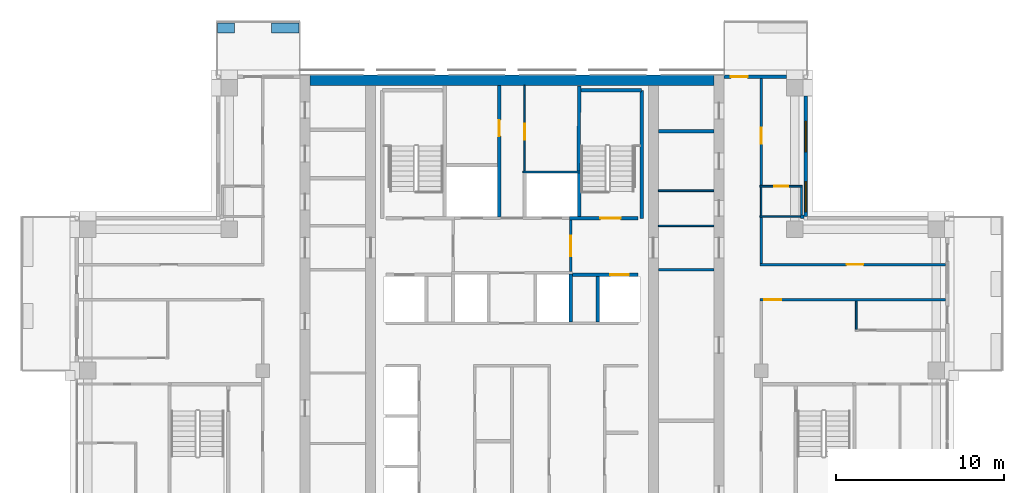
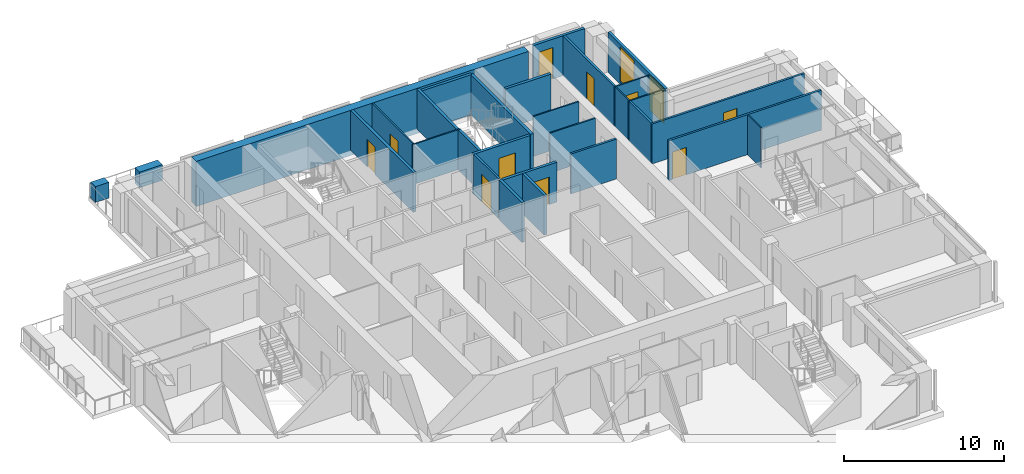
# One storey, part 11 of 15: 31 walls, 10 doors, 2 windows, 12 openings.
"""IFC4 building model written with IfcOpenShell, lengths in metres."""

import ifcopenshell
import ifcopenshell.guid

model = None  # the IFC model being written
_history = None  # IfcOwnerHistory: only IFC2X3 demands one
_inside = {}  # id of a spatial element -> (the spatial element, [elements in it])
_under = {}  # id of a project, library or spatial element -> (it, [spatial elements below it])
_declared = {}  # id of a project -> (the project, [libraries it declares])
_typed = {}  # id of a type object -> (the type object, [elements of that type])
_made_of = {}  # id of a material, layer set ... -> (it, [elements and type objects made of it])


def new_model(schema):
    """Start an empty IFC model of exactly this schema.

    Asked for "IFC4X3", IfcOpenShell would pick the latest addendum, in which some entities
    have other attributes; the version numbers below select the first issue.
    IFC2X3 requires an IfcOwnerHistory on every rooted entity: one is made here for all.
    """
    global model, _history
    if schema == "IFC4X3":
        model = ifcopenshell.file(schema_version=(4, 3, 0, 0))
    else:
        model = ifcopenshell.file(schema=schema)
    _inside.clear()
    _under.clear()
    _declared.clear()
    _typed.clear()
    _made_of.clear()
    _history = None
    if model.schema == "IFC2X3":
        org = make("IfcOrganization", Name="unknown")
        user = make(
            "IfcPersonAndOrganization",
            ThePerson=make("IfcPerson", FamilyName="unknown"),
            TheOrganization=org,
        )
        app = make(
            "IfcApplication",
            ApplicationDeveloper=org,
            Version="unknown",
            ApplicationFullName="unknown",
            ApplicationIdentifier="unknown",
        )
        _history = make(
            "IfcOwnerHistory",
            OwningUser=user,
            OwningApplication=app,
            ChangeAction="ADDED",
            CreationDate=0,
        )
    return model


def make(cls, **values):
    """One entity of the class cls with the attributes given. An attribute that is None is left unset."""
    return model.create_entity(
        cls, **{name: value for name, value in values.items() if value is not None}
    )


def rooted(cls, **values):
    """An entity with a GlobalId (a new one), such as an element, a storey or a relation."""
    return make(cls, GlobalId=ifcopenshell.guid.new(), OwnerHistory=_history, **values)


def si_unit(unit_type, name, prefix=None):
    """IfcSIUnit, for example si_unit("LENGTHUNIT", "METRE", prefix="MILLI")."""
    return make("IfcSIUnit", UnitType=unit_type, Prefix=prefix, Name=name)


def assignment(units):
    """IfcUnitAssignment: the units of a project."""
    return None if units is None else make("IfcUnitAssignment", Units=units)


def point(xyz):
    """IfcCartesianPoint."""
    return None if xyz is None else make("IfcCartesianPoint", Coordinates=xyz)


def direction(xyz):
    """IfcDirection."""
    return None if xyz is None else make("IfcDirection", DirectionRatios=xyz)


def frame(location, z_axis=None, x_axis=None):
    """IfcAxis2Placement3D, a coordinate frame: its origin and axes. An axis left out is left unset."""
    return make(
        "IfcAxis2Placement3D",
        Location=point(location),
        Axis=direction(z_axis),
        RefDirection=direction(x_axis),
    )


def frame_2d(location, x_axis=None):
    """IfcAxis2Placement2D, a coordinate frame in the plane: its origin and x axis."""
    return make(
        "IfcAxis2Placement2D", Location=point(location), RefDirection=direction(x_axis)
    )


def origin():
    """The frame at (0, 0, 0) with its axes left unset."""
    return frame((0.0, 0.0, 0.0))


def place(relative_to, where):
    """IfcLocalPlacement: puts the frame where relative to a parent placement (None: the world)."""
    return make(
        "IfcLocalPlacement", PlacementRelTo=relative_to, RelativePlacement=where
    )


def context(
    kind, dimensions, precision=None, world=None, true_north=None, identifier=None
):
    """IfcGeometricRepresentationContext, for example the 3D "Model" context."""
    return make(
        "IfcGeometricRepresentationContext",
        ContextIdentifier=identifier,
        ContextType=kind,
        CoordinateSpaceDimension=dimensions,
        Precision=precision,
        WorldCoordinateSystem=world,
        TrueNorth=true_north,
    )


def subcontext(parent, identifier, kind, view, scale=None):
    """IfcGeometricRepresentationSubContext, for example "Body" below "Model"."""
    return make(
        "IfcGeometricRepresentationSubContext",
        ContextIdentifier=identifier,
        ContextType=kind,
        ParentContext=parent,
        TargetScale=scale,
        TargetView=view,
    )


def project(units=None, contexts=None):
    """IfcProject with its units and contexts."""
    return rooted(
        "IfcProject",
        Name="project",
        RepresentationContexts=contexts,
        UnitsInContext=assignment(units),
    )


def spatial(cls, under=None, at=None, **own):
    """A site, building, storey or space (cls), placed at a placement, below another one or the project."""
    s = rooted(cls, ObjectPlacement=at, **own)
    if under is not None:
        _under.setdefault(under.id(), (under, []))[1].append(s)
    return s


def profile(cls, at=None, kind="AREA", **sizes):
    """A parametric profile (cls). Its sizes go by their IFC names, for example OverallWidth=200.0."""
    return make(cls, ProfileType=kind, Position=at, **sizes)


def rectangle(**sizes):
    """IfcRectangleProfileDef."""
    return profile("IfcRectangleProfileDef", **sizes)


def extrude(swept, where, along, depth):
    """IfcExtrudedAreaSolid: the profile swept, set in the frame where, extruded along a direction by depth."""
    return make(
        "IfcExtrudedAreaSolid",
        SweptArea=swept,
        Position=where,
        ExtrudedDirection=direction(along),
        Depth=depth,
    )


def shape(context_of_items, identifier, shape_type, items):
    """IfcShapeRepresentation: the items that make up one representation, for example the "Body"."""
    return make(
        "IfcShapeRepresentation",
        ContextOfItems=context_of_items,
        RepresentationIdentifier=identifier,
        RepresentationType=shape_type,
        Items=items,
    )


def material(Name=None, Category=None):
    """IfcMaterial."""
    return make("IfcMaterial", Name=Name, Category=Category)


def layer(
    of_material, thickness, ventilated=None, Name=None, Category=None, Priority=None
):
    """IfcMaterialLayer: one layer of a wall or slab, of a material (None: an air gap)."""
    return make(
        "IfcMaterialLayer",
        Material=of_material,
        LayerThickness=thickness,
        IsVentilated=ventilated,
        Name=Name,
        Category=Category,
        Priority=Priority,
    )


def layer_set(layers, Name=None):
    """IfcMaterialLayerSet."""
    return make("IfcMaterialLayerSet", MaterialLayers=layers, LayerSetName=Name)


def made_of(thing, what):
    """Note that an element or type object is made of a material, layer set ...; save() writes the relation."""
    if what is not None:
        _made_of.setdefault(what.id(), (what, []))[1].append(thing)
    return thing


def type_object(cls, material=None, **own):
    """A type object (cls), such as IfcWallType, which elements share."""
    return made_of(rooted(cls, **own), material)


def element(
    cls,
    number,
    at=None,
    inside=None,
    cuts=None,
    type_object=None,
    material=None,
    context=None,
    identifier="Body",
    shape_type=None,
    held_by="IfcProductDefinitionShape",
    body=None,
    shapes=None,
    **own,
):
    """One element of the class cls, such as IfcWall. Its Tag is "e" and its number.

    at: its placement. inside: the storey or other place that contains it. cuts: it is an
    opening in that element (IfcRelVoidsElement). A single representation is given by context,
    identifier, shape_type and body (its items); several are given by shapes. held_by: the class
    of the entity that holds the representations. save() writes the other relations.
    """
    e = rooted(cls, Tag="e%d" % number, ObjectPlacement=at, **own)
    if body is not None:
        shapes = [shape(context, identifier, shape_type, body)]
    if shapes is not None:
        e.Representation = make(held_by, Representations=shapes)
    if inside is not None:
        _inside.setdefault(inside.id(), (inside, []))[1].append(e)
    if cuts is not None:
        rooted(
            "IfcRelVoidsElement", RelatingBuildingElement=cuts, RelatedOpeningElement=e
        )
    if type_object is not None:
        _typed.setdefault(type_object.id(), (type_object, []))[1].append(e)
    return made_of(e, material)


def fill(opening, filler):
    """IfcRelFillsElement: the door or window that sits in an opening."""
    return rooted(
        "IfcRelFillsElement",
        RelatingOpeningElement=opening,
        RelatedBuildingElement=filler,
    )


def aggregate(whole, parts):
    """IfcRelAggregates: a whole, such as a stair, and the parts it consists of."""
    return rooted("IfcRelAggregates", RelatingObject=whole, RelatedObjects=parts)


def save(model, path):
    """Write the relations noted so far, then the file.

    IfcRelAggregates (storeys below a building ...), IfcRelContainedInSpatialStructure (elements
    in a storey), IfcRelDefinesByType, IfcRelAssociatesMaterial and IfcRelDeclares: one each for
    every whole, place, type object, material and project.
    """
    for whole, parts in _under.values():
        aggregate(whole, parts)
    for where, things in _inside.values():
        rooted(
            "IfcRelContainedInSpatialStructure",
            RelatedElements=things,
            RelatingStructure=where,
        )
    for kind, things in _typed.values():
        rooted("IfcRelDefinesByType", RelatedObjects=things, RelatingType=kind)
    for what, things in _made_of.values():
        rooted("IfcRelAssociatesMaterial", RelatedObjects=things, RelatingMaterial=what)
    for by, libraries in _declared.values():
        rooted("IfcRelDeclares", RelatingContext=by, RelatedDefinitions=libraries)
    model.write(path)


model = new_model("IFC4")

# Units and contexts
model_context = context("Model", 3, precision=1e-05, world=origin(), true_north=direction((0.0, 1.0)))
body_context = subcontext(model_context, "Body", "Model", "MODEL_VIEW")
ifc_project = project(units=[si_unit("LENGTHUNIT", "METRE"), si_unit("AREAUNIT", "SQUARE_METRE"), si_unit("VOLUMEUNIT", "CUBIC_METRE"), si_unit("PLANEANGLEUNIT", "RADIAN"), si_unit("MASSUNIT", "GRAM", prefix="KILO")], contexts=[model_context])

# Site, building, storey
site_placement = place(None, origin())
site = spatial("IfcSite", under=ifc_project, at=site_placement, CompositionType="ELEMENT")
building_placement = place(site_placement, origin())
building = spatial("IfcBuilding", under=site, at=building_placement, Name="Vermilion Ogive Tower", CompositionType="ELEMENT")
storey_placement = place(building_placement, frame((0.0, 0.0, 210.050048828125)))
storey = spatial("IfcBuildingStorey", under=building, at=storey_placement, Name="L55", CompositionType="ELEMENT", Elevation=210.050048828125)

# Walls
ifc_material_1 = material(Name="Concrete B60", Category="concrete")
ifc_layer_1 = layer(ifc_material_1, 0.60009765625)
ifc_layer_set_1 = layer_set([ifc_layer_1], Name="Core wall 600 B60")
wall_type_1 = type_object("IfcWallType", Name="Core wall 600 B60", PredefinedType="SHEAR", material=ifc_layer_set_1)
wall_1_placement = place(storey_placement, frame((-12.0, 21.449951171875, -0.400146484375), z_axis=(0.0, 0.0, 1.0), x_axis=(1.0, 0.0, 0.0)))
element("IfcWall", 1, at=wall_1_placement, inside=storey, type_object=wall_type_1, Name="L55-CORE-N", PredefinedType="SHEAR", context=body_context, shape_type="SweptSolid", body=[
    extrude(rectangle(XDim=24.0, YDim=0.60009765625, at=frame_2d((12.0, 0.0))), origin(), (0.0, 0.0, 1.0), 3.4501953125),
])
ifc_material_2 = material(Name="Gypsum board partition on steel studs", Category="steel")
ifc_layer_2 = layer(ifc_material_2, 0.10009765625)
ifc_layer_set_2 = layer_set([ifc_layer_2], Name="Partition 100 bath")
wall_type_2 = type_object("IfcWallType", Name="Partition 100 bath", PredefinedType="PARTITIONING", material=ifc_layer_set_2)
wall_2_placement = place(storey_placement, frame((14.72509765625, 13.35009765625, 0.0), z_axis=(0.0, 0.0, 1.0), x_axis=(1.0, 0.0, 0.0)))
element("IfcWall", 2, at=wall_2_placement, inside=storey, type_object=wall_type_2, Name="L55-W-W035", PredefinedType="PARTITIONING", context=body_context, shape_type="SweptSolid", body=[
    extrude(rectangle(XDim=2.52490234375, YDim=0.10009765625, at=frame_2d((1.262451171875, 0.0))), origin(), (0.0, 0.0, 1.0), 3.050048828125),
])

# Wall, opening, door
wall_3_placement = place(storey_placement, frame((14.72509765625, 15.14990234375, 0.0), z_axis=(0.0, 0.0, 1.0), x_axis=(1.0, 0.0, 0.0)))
wall_3 = element("IfcWall", 3, at=wall_3_placement, inside=storey, type_object=wall_type_2, Name="L55-W-W038", PredefinedType="PARTITIONING", context=body_context, shape_type="SweptSolid", body=[
    extrude(rectangle(XDim=2.52490234375, YDim=0.10009765625, at=frame_2d((1.262451171875, 0.0))), origin(), (0.0, 0.0, 1.0), 3.050048828125),
])
opening_1_placement = place(wall_3_placement, frame((0.849853515625, 0.0, 0.0)))
opening_1 = element("IfcOpeningElement", 4, at=opening_1_placement, cuts=wall_3, Name="Opening D4G5021", PredefinedType="OPENING", context=body_context, shape_type="SweptSolid", body=[
    extrude(rectangle(XDim=0.85009765625, YDim=2.10009765625, at=frame_2d((0.425048828125, 1.050048828125))), frame((0.0, 0.06005859375, 0.0), z_axis=(0.0, -1.0, 0.0), x_axis=(1.0, 0.0, 0.0)), (0.0, 0.0, 1.0), 0.1201171875),
])
ifc_material_3 = material(Name="Timber door leaf", Category="wood")
door_type_1 = type_object("IfcDoorType", Name="Bath door 850 x 2100 FD30", OperationType="SINGLE_SWING_LEFT", PredefinedType="DOOR", material=ifc_material_3)
door_1_placement = place(opening_1_placement, origin())
door_1 = element("IfcDoor", 5, at=door_1_placement, inside=storey, type_object=door_type_1, Name="L55-D-D021", OperationType="SINGLE_SWING_RIGHT", OverallHeight=2.10009765625, OverallWidth=0.85009765625, PredefinedType="DOOR", context=body_context, shape_type="SweptSolid", body=[
    extrude(rectangle(XDim=0.85009765625, YDim=2.10009765625, at=frame_2d((0.425048828125, 1.050048828125))), frame((0.0, 0.02490234375, 0.0), z_axis=(0.0, -1.0, 0.0), x_axis=(1.0, 0.0, 0.0)), (0.0, 0.0, 1.0), 0.050048828125),
])
fill(opening_1, door_1)

# Walls
wall_4_placement = place(storey_placement, frame((14.800048828125, 13.39990234375, 0.0), z_axis=(0.0, 0.0, 1.0), x_axis=(0.0, 1.0, 0.0)))
element("IfcWall", 6, at=wall_4_placement, inside=storey, type_object=wall_type_2, Name="L55-W-W062", PredefinedType="PARTITIONING", context=body_context, shape_type="SweptSolid", body=[
    extrude(rectangle(XDim=1.7001953125, YDim=0.10009765625, at=frame_2d((0.85009765625, 0.0))), origin(), (0.0, 0.0, 1.0), 3.050048828125),
])
wall_5_placement = place(storey_placement, frame((17.199951171875, 13.449951171875, 0.0), z_axis=(0.0, 0.0, 1.0), x_axis=(0.0, 1.0, 0.0)))
element("IfcWall", 7, at=wall_5_placement, inside=storey, type_object=wall_type_2, Name="L55-W-W065", PredefinedType="PARTITIONING", context=body_context, shape_type="SweptSolid", body=[
    extrude(rectangle(XDim=1.650146484375, YDim=0.10009765625, at=frame_2d((0.8251953125, 0.0))), origin(), (0.0, 0.0, 1.0), 3.050048828125),
])
wall_6_placement = place(storey_placement, frame((0.64990234375, 16.0, 0.0), z_axis=(0.0, 0.0, 1.0), x_axis=(1.0, 0.0, 0.0)))
element("IfcWall", 8, at=wall_6_placement, inside=storey, type_object=wall_type_2, Name="L55-CK-W-W018", PredefinedType="PARTITIONING", context=body_context, shape_type="SweptSolid", body=[
    extrude(rectangle(XDim=3.4501953125, YDim=0.10009765625, at=frame_2d((1.72509765625, 0.0))), origin(), (0.0, 0.0, 1.0), 3.050048828125),
])

# Wall, opening, door
wall_7_placement = place(storey_placement, frame((0.75, 16.050048828125, 0.0), z_axis=(0.0, 0.0, 1.0), x_axis=(0.0, 1.0, 0.0)))
wall_7 = element("IfcWall", 9, at=wall_7_placement, inside=storey, type_object=wall_type_2, Name="L55-CK-W-W030", PredefinedType="PARTITIONING", context=body_context, shape_type="SweptSolid", body=[
    extrude(rectangle(XDim=5.098876953125, YDim=0.10009765625, at=frame_2d((2.54931640625, 0.0))), origin(), (0.0, 0.0, 1.0), 3.050048828125),
])
opening_2_placement = place(wall_7_placement, frame((1.875, 0.0, 0.0)))
opening_2 = element("IfcOpeningElement", 10, at=opening_2_placement, cuts=wall_7, Name="Opening DAA502", PredefinedType="OPENING", context=body_context, shape_type="SweptSolid", body=[
    extrude(rectangle(XDim=0.949951171875, YDim=2.10009765625, at=frame_2d((0.47509765625, 1.050048828125))), frame((0.0, 0.06005859375, 0.0), z_axis=(0.0, -1.0, 0.0), x_axis=(1.0, 0.0, 0.0)), (0.0, 0.0, 1.0), 0.1201171875),
])
ifc_material_4 = material(Name="Timber door leaf", Category="wood")
door_type_2 = type_object("IfcDoorType", Name="Service door 950 x 2100 FD60", OperationType="SINGLE_SWING_LEFT", PredefinedType="DOOR", material=ifc_material_4)
door_2_placement = place(opening_2_placement, origin())
door_2 = element("IfcDoor", 11, at=door_2_placement, inside=storey, type_object=door_type_2, Name="L55-CK-D-D022", OperationType="SINGLE_SWING_LEFT", OverallHeight=2.10009765625, OverallWidth=0.949951171875, PredefinedType="DOOR", context=body_context, shape_type="SweptSolid", body=[
    extrude(rectangle(XDim=0.949951171875, YDim=2.10009765625, at=frame_2d((0.47509765625, 1.050048828125))), frame((0.0, 0.02490234375, 0.0), z_axis=(0.0, -1.0, 0.0), x_axis=(1.0, 0.0, 0.0)), (0.0, 0.0, 1.0), 0.050048828125),
])
fill(opening_2, door_2)

# Walls
for number, where, z_axis, x_axis, name in (
    (12, (8.700927734375, 12.800048828125, 0.0), (0.0, 0.0, 1.0), (1.0, 0.0, 0.0), "L55-CKE-W-W003"),
    (13, (8.700927734375, 14.89111328125, 0.0), (0.0, 0.0, 1.0), (1.0, 0.0, 0.0), "L55-CKE-W-W004"),
):
    element("IfcWall", number, at=place(storey_placement, frame(where, z_axis=z_axis, x_axis=x_axis)), inside=storey, type_object=wall_type_2, Name=name, PredefinedType="PARTITIONING", context=body_context, shape_type="SweptSolid", body=[
        extrude(rectangle(XDim=3.298095703125, YDim=0.10009765625, at=frame_2d((1.64892578125, 0.0))), origin(), (0.0, 0.0, 1.0), 3.050048828125),
    ])
ifc_material_5 = material(Name="Gypsum board partition on steel studs", Category="steel")
ifc_layer_3 = layer(ifc_material_5, 0.10009765625)
ifc_layer_set_3 = layer_set([ifc_layer_3], Name="Partition 100 inner")
wall_type_3 = type_object("IfcWallType", Name="Partition 100 inner", PredefinedType="PARTITIONING", material=ifc_layer_set_3)
wall_8_placement = place(storey_placement, frame((20.449951171875, 6.64990234375, 0.0), z_axis=(0.0, 0.0, 1.0), x_axis=(0.0, 1.0, 0.0)))
element("IfcWall", 14, at=wall_8_placement, inside=storey, type_object=wall_type_3, Name="L55-W-W069", PredefinedType="PARTITIONING", context=body_context, shape_type="SweptSolid", body=[
    extrude(rectangle(XDim=1.675048828125, YDim=0.10009765625, at=frame_2d((0.83740234375, 0.0))), origin(), (0.0, 0.0, 1.0), 3.050048828125),
])

# Wall, opening, door
ifc_material_6 = material(Name="Gypsum board partition on steel studs", Category="steel")
ifc_layer_4 = layer(ifc_material_6, 0.14990234375)
ifc_layer_set_4 = layer_set([ifc_layer_4], Name="Partition 150 corridor")
wall_type_4 = type_object("IfcWallType", Name="Partition 150 corridor", PredefinedType="PARTITIONING", material=ifc_layer_set_4)
wall_9_placement = place(storey_placement, frame((14.72509765625, 8.39990234375, 0.0), z_axis=(0.0, 0.0, 1.0), x_axis=(1.0, 0.0, 0.0)))
wall_9 = element("IfcWall", 15, at=wall_9_placement, inside=storey, type_object=wall_type_4, Name="L55-W-W030", PredefinedType="PARTITIONING", context=body_context, shape_type="SweptSolid", body=[
    extrude(rectangle(XDim=11.02490234375, YDim=0.14990234375, at=frame_2d((5.512451171875, 0.0))), origin(), (0.0, 0.0, 1.0), 3.050048828125),
])
opening_3_placement = place(wall_9_placement, frame((0.27490234375, 0.0, 0.0)))
opening_3 = element("IfcOpeningElement", 16, at=opening_3_placement, cuts=wall_9, Name="Opening D4G5017", PredefinedType="OPENING", context=body_context, shape_type="SweptSolid", body=[
    extrude(rectangle(XDim=1.0, YDim=2.10009765625, at=frame_2d((0.5, 1.050048828125))), frame((0.0, 0.0849609375, 0.0), z_axis=(0.0, -1.0, 0.0), x_axis=(1.0, 0.0, 0.0)), (0.0, 0.0, 1.0), 0.169921875),
])
ifc_material_7 = material(Name="Timber door leaf", Category="wood")
door_type_3 = type_object("IfcDoorType", Name="Unit door 1000 x 2100 FD30S", OperationType="SINGLE_SWING_LEFT", PredefinedType="DOOR", material=ifc_material_7)
door_3_placement = place(opening_3_placement, origin())
door_3 = element("IfcDoor", 17, at=door_3_placement, inside=storey, type_object=door_type_3, Name="L55-D-D017", OperationType="SINGLE_SWING_RIGHT", OverallHeight=2.10009765625, OverallWidth=1.0, PredefinedType="DOOR", context=body_context, shape_type="SweptSolid", body=[
    extrude(rectangle(XDim=1.0, YDim=2.10009765625, at=frame_2d((0.5, 1.050048828125))), frame((0.0, 0.02490234375, 0.0), z_axis=(0.0, -1.0, 0.0), x_axis=(1.0, 0.0, 0.0)), (0.0, 0.0, 1.0), 0.050048828125),
])
fill(opening_3, door_3)

wall_10_placement = place(storey_placement, frame((14.72509765625, 10.5, 0.0), z_axis=(0.0, 0.0, 1.0), x_axis=(1.0, 0.0, 0.0)))
wall_10 = element("IfcWall", 18, at=wall_10_placement, inside=storey, type_object=wall_type_4, Name="L55-W-W032", PredefinedType="PARTITIONING", context=body_context, shape_type="SweptSolid", body=[
    extrude(rectangle(XDim=11.02490234375, YDim=0.14990234375, at=frame_2d((5.512451171875, 0.0))), origin(), (0.0, 0.0, 1.0), 3.050048828125),
])
opening_4_placement = place(wall_10_placement, frame((5.14990234375, 0.0, 0.0)))
opening_4 = element("IfcOpeningElement", 19, at=opening_4_placement, cuts=wall_10, Name="Opening D4G5035", PredefinedType="OPENING", context=body_context, shape_type="SweptSolid", body=[
    extrude(rectangle(XDim=1.0, YDim=2.10009765625, at=frame_2d((0.5, 1.050048828125))), frame((0.0, 0.0849609375, 0.0), z_axis=(0.0, -1.0, 0.0), x_axis=(1.0, 0.0, 0.0)), (0.0, 0.0, 1.0), 0.169921875),
])
door_4_placement = place(opening_4_placement, origin())
door_4 = element("IfcDoor", 20, at=door_4_placement, inside=storey, type_object=door_type_3, Name="L55-D-D035", OperationType="SINGLE_SWING_RIGHT", OverallHeight=2.10009765625, OverallWidth=1.0, PredefinedType="DOOR", context=body_context, shape_type="SweptSolid", body=[
    extrude(rectangle(XDim=1.0, YDim=2.10009765625, at=frame_2d((0.5, 1.050048828125))), frame((0.0, 0.02490234375, 0.0), z_axis=(0.0, -1.0, 0.0), x_axis=(1.0, 0.0, 0.0)), (0.0, 0.0, 1.0), 0.050048828125),
])
fill(opening_4, door_4)

# Wall
wall_11_placement = place(storey_placement, frame((14.800048828125, 10.574951171875, 0.0), z_axis=(0.0, 0.0, 1.0), x_axis=(0.0, 1.0, 0.0)))
element("IfcWall", 21, at=wall_11_placement, inside=storey, type_object=wall_type_4, Name="L55-W-W061", PredefinedType="PARTITIONING", context=body_context, shape_type="SweptSolid", body=[
    extrude(rectangle(XDim=2.72509765625, YDim=0.14990234375, at=frame_2d((1.362548828125, 0.0))), origin(), (0.0, 0.0, 1.0), 3.050048828125),
])

# Wall, opening, door
wall_12_placement = place(storey_placement, frame((14.800048828125, 15.199951171875, 0.0), z_axis=(0.0, 0.0, 1.0), x_axis=(0.0, 1.0, 0.0)))
wall_12 = element("IfcWall", 22, at=wall_12_placement, inside=storey, type_object=wall_type_4, Name="L55-W-W063", PredefinedType="PARTITIONING", context=body_context, shape_type="SweptSolid", body=[
    extrude(rectangle(XDim=6.35009765625, YDim=0.14990234375, at=frame_2d((3.175048828125, 0.0))), origin(), (0.0, 0.0, 1.0), 3.050048828125),
])
opening_5_placement = place(wall_12_placement, frame((2.47509765625, 0.0, 0.0)))
opening_5 = element("IfcOpeningElement", 23, at=opening_5_placement, cuts=wall_12, Name="Opening D4G5020", PredefinedType="OPENING", context=body_context, shape_type="SweptSolid", body=[
    extrude(rectangle(XDim=0.949951171875, YDim=2.10009765625, at=frame_2d((0.47509765625, 1.050048828125))), frame((0.0, 0.0849609375, 0.0), z_axis=(0.0, -1.0, 0.0), x_axis=(1.0, 0.0, 0.0)), (0.0, 0.0, 1.0), 0.169921875),
])
ifc_material_8 = material(Name="Timber door leaf", Category="wood")
door_type_4 = type_object("IfcDoorType", Name="Unit door 950 x 2100 FD30S", OperationType="SINGLE_SWING_LEFT", PredefinedType="DOOR", material=ifc_material_8)
door_5_placement = place(opening_5_placement, origin())
door_5 = element("IfcDoor", 24, at=door_5_placement, inside=storey, type_object=door_type_4, Name="L55-D-D020", OperationType="SINGLE_SWING_LEFT", OverallHeight=2.10009765625, OverallWidth=0.949951171875, PredefinedType="DOOR", context=body_context, shape_type="SweptSolid", body=[
    extrude(rectangle(XDim=0.949951171875, YDim=2.10009765625, at=frame_2d((0.47509765625, 1.050048828125))), frame((0.0, 0.02490234375, 0.0), z_axis=(0.0, -1.0, 0.0), x_axis=(1.0, 0.0, 0.0)), (0.0, 0.0, 1.0), 0.050048828125),
])
fill(opening_5, door_5)

wall_13_placement = place(storey_placement, frame((3.5, 10.074951171875, 0.0), z_axis=(0.0, 0.0, 1.0), x_axis=(0.0, 1.0, 0.0)))
wall_13 = element("IfcWall", 25, at=wall_13_placement, inside=storey, type_object=wall_type_4, Name="L55-CK-W-W034", PredefinedType="PARTITIONING", context=body_context, shape_type="SweptSolid", body=[
    extrude(rectangle(XDim=3.074951171875, YDim=0.14990234375, at=frame_2d((1.53759765625, 0.0))), origin(), (0.0, 0.0, 1.0), 3.050048828125),
])
opening_6_placement = place(wall_13_placement, frame((0.925048828125, 0.0, 0.0)))
opening_6 = element("IfcOpeningElement", 26, at=opening_6_placement, cuts=wall_13, Name="Opening DAA491", PredefinedType="OPENING", context=body_context, shape_type="SweptSolid", body=[
    extrude(rectangle(XDim=1.199951171875, YDim=2.10009765625, at=frame_2d((0.60009765625, 1.050048828125))), frame((0.0, 0.0849609375, 0.0), z_axis=(0.0, -1.0, 0.0), x_axis=(1.0, 0.0, 0.0)), (0.0, 0.0, 1.0), 0.169921875),
])
ifc_material_9 = material(Name="Timber door leaf", Category="wood")
door_type_5 = type_object("IfcDoorType", Name="Lobby door 1200 x 2100 FD60S", OperationType="SINGLE_SWING_LEFT", PredefinedType="DOOR", material=ifc_material_9)
door_6_placement = place(opening_6_placement, origin())
door_6 = element("IfcDoor", 27, at=door_6_placement, inside=storey, type_object=door_type_5, Name="L55-CK-D-D024", OperationType="SINGLE_SWING_LEFT", OverallHeight=2.10009765625, OverallWidth=1.199951171875, PredefinedType="DOOR", context=body_context, shape_type="SweptSolid", body=[
    extrude(rectangle(XDim=1.199951171875, YDim=2.10009765625, at=frame_2d((0.60009765625, 1.050048828125))), frame((0.0, 0.02490234375, 0.0), z_axis=(0.0, -1.0, 0.0), x_axis=(1.0, 0.0, 0.0)), (0.0, 0.0, 1.0), 0.050048828125),
])
fill(opening_6, door_6)

# Walls
wall_14_placement = place(storey_placement, frame((8.700927734375, 10.199951171875, 0.0), z_axis=(0.0, 0.0, 1.0), x_axis=(1.0, 0.0, 0.0)))
element("IfcWall", 28, at=wall_14_placement, inside=storey, type_object=wall_type_4, Name="L55-CKE-W-W002", PredefinedType="PARTITIONING", context=body_context, shape_type="SweptSolid", body=[
    extrude(rectangle(XDim=3.298095703125, YDim=0.14990234375, at=frame_2d((1.64892578125, 0.0))), origin(), (0.0, 0.0, 1.0), 3.050048828125),
])
ifc_material_10 = material(Name="Gypsum board partition on steel studs", Category="steel")
ifc_layer_5 = layer(ifc_material_10, 0.199951171875)
ifc_layer_set_5 = layer_set([ifc_layer_5], Name="Partition 200 party")
wall_type_5 = type_object("IfcWallType", Name="Partition 200 party", PredefinedType="PARTITIONING", material=ifc_layer_set_5)
wall_15_placement = place(storey_placement, frame((17.14990234375, 13.35009765625, 0.0), z_axis=(0.0, 0.0, 1.0), x_axis=(1.0, 0.0, 0.0)))
element("IfcWall", 29, at=wall_15_placement, inside=storey, type_object=wall_type_5, Name="L55-W-W036", PredefinedType="PARTITIONING", context=body_context, shape_type="SweptSolid", body=[
    extrude(rectangle(XDim=0.2001953125, YDim=0.199951171875, at=frame_2d((0.10009765625, 0.0))), origin(), (0.0, 0.0, 1.0), 3.050048828125),
])

# Wall, opening, door
wall_16_placement = place(storey_placement, frame((3.60009765625, 9.89990234375, 0.0), z_axis=(0.0, 0.0, 1.0), x_axis=(1.0, 0.0, 0.0)))
wall_16 = element("IfcWall", 30, at=wall_16_placement, inside=storey, type_object=wall_type_5, Name="L55-CK-W-W013", PredefinedType="PARTITIONING", context=body_context, shape_type="SweptSolid", body=[
    extrude(rectangle(XDim=3.89990234375, YDim=0.199951171875, at=frame_2d((1.949951171875, 0.0))), origin(), (0.0, 0.0, 1.0), 3.050048828125),
])
opening_7_placement = place(wall_16_placement, frame((2.25, 0.0, 0.0)))
opening_7 = element("IfcOpeningElement", 31, at=opening_7_placement, cuts=wall_16, Name="Opening DAA511", PredefinedType="OPENING", context=body_context, shape_type="SweptSolid", body=[
    extrude(rectangle(XDim=1.10009765625, YDim=2.10009765625, at=frame_2d((0.550048828125, 1.050048828125))), frame((0.0, 0.10986328125, 0.0), z_axis=(0.0, -1.0, 0.0), x_axis=(1.0, 0.0, 0.0)), (0.0, 0.0, 1.0), 0.219970703125),
])
ifc_material_11 = material(Name="Stainless steel", Category="steel")
door_type_6 = type_object("IfcDoorType", Name="Lift landing door 1100 x 2100", OperationType="SLIDING_TO_LEFT", PredefinedType="DOOR", material=ifc_material_11)
door_7_placement = place(opening_7_placement, origin())
door_7 = element("IfcDoor", 32, at=door_7_placement, inside=storey, type_object=door_type_6, Name="L55-CK-D-D015", OperationType="SLIDING_TO_LEFT", OverallHeight=2.10009765625, OverallWidth=1.10009765625, PredefinedType="DOOR", context=body_context, shape_type="SweptSolid", body=[
    extrude(rectangle(XDim=1.10009765625, YDim=2.10009765625, at=frame_2d((0.550048828125, 1.050048828125))), frame((0.0, 0.02490234375, 0.0), z_axis=(0.0, -1.0, 0.0), x_axis=(1.0, 0.0, 0.0)), (0.0, 0.0, 1.0), 0.050048828125),
])
fill(opening_7, door_7)

wall_17_placement = place(storey_placement, frame((-0.75, 13.324951171875, 0.0), z_axis=(0.0, 0.0, 1.0), x_axis=(0.0, 1.0, 0.0)))
wall_17 = element("IfcWall", 33, at=wall_17_placement, inside=storey, type_object=wall_type_5, Name="L55-CK-W-W027", PredefinedType="PARTITIONING", context=body_context, shape_type="SweptSolid", body=[
    extrude(rectangle(XDim=7.823974609375, YDim=0.199951171875, at=frame_2d((3.912109375, 0.0))), origin(), (0.0, 0.0, 1.0), 3.050048828125),
])
opening_8_placement = place(wall_17_placement, frame((4.800048828125, 0.0, 0.0)))
opening_8 = element("IfcOpeningElement", 34, at=opening_8_placement, cuts=wall_17, Name="Opening DAA501", PredefinedType="OPENING", context=body_context, shape_type="SweptSolid", body=[
    extrude(rectangle(XDim=0.949951171875, YDim=2.10009765625, at=frame_2d((0.47509765625, 1.050048828125))), frame((0.0, 0.10986328125, 0.0), z_axis=(0.0, -1.0, 0.0), x_axis=(1.0, 0.0, 0.0)), (0.0, 0.0, 1.0), 0.219970703125),
])
door_8_placement = place(opening_8_placement, origin())
door_8 = element("IfcDoor", 35, at=door_8_placement, inside=storey, type_object=door_type_2, Name="L55-CK-D-D021", OperationType="SINGLE_SWING_RIGHT", OverallHeight=2.10009765625, OverallWidth=0.949951171875, PredefinedType="DOOR", context=body_context, shape_type="SweptSolid", body=[
    extrude(rectangle(XDim=0.949951171875, YDim=2.10009765625, at=frame_2d((0.47509765625, 1.050048828125))), frame((0.0, 0.02490234375, 0.0), z_axis=(0.0, -1.0, 0.0), x_axis=(1.0, 0.0, 0.0)), (0.0, 0.0, 1.0), 0.050048828125),
])
fill(opening_8, door_8)

# Walls
wall_18_placement = place(storey_placement, frame((3.5, 7.074951171875, 0.0), z_axis=(0.0, 0.0, 1.0), x_axis=(0.0, 1.0, 0.0)))
element("IfcWall", 36, at=wall_18_placement, inside=storey, type_object=wall_type_5, Name="L55-CK-W-W033", PredefinedType="PARTITIONING", context=body_context, shape_type="SweptSolid", body=[
    extrude(rectangle(XDim=2.85009765625, YDim=0.199951171875, at=frame_2d((1.425048828125, 0.0))), origin(), (0.0, 0.0, 1.0), 3.050048828125),
])
wall_19_placement = place(storey_placement, frame((5.10009765625, 7.074951171875, 0.0), z_axis=(0.0, 0.0, 1.0), x_axis=(0.0, 1.0, 0.0)))
element("IfcWall", 37, at=wall_19_placement, inside=storey, type_object=wall_type_5, Name="L55-CK-W-W037", PredefinedType="PARTITIONING", context=body_context, shape_type="SweptSolid", body=[
    extrude(rectangle(XDim=2.72509765625, YDim=0.199951171875, at=frame_2d((1.362548828125, 0.0))), origin(), (0.0, 0.0, 1.0), 3.050048828125),
])
wall_20_placement = place(storey_placement, frame((8.700927734375, 18.410888671875, 0.0), z_axis=(0.0, 0.0, 1.0), x_axis=(1.0, 0.0, 0.0)))
element("IfcWall", 38, at=wall_20_placement, inside=storey, type_object=wall_type_5, Name="L55-CKE-W-W005", PredefinedType="PARTITIONING", context=body_context, shape_type="SweptSolid", body=[
    extrude(rectangle(XDim=3.298095703125, YDim=0.199951171875, at=frame_2d((1.64892578125, 0.0))), origin(), (0.0, 0.0, 1.0), 3.050048828125),
])

# Wall, opening, door
ifc_material_12 = material(Name="Concrete B60", Category="concrete")
ifc_layer_6 = layer(ifc_material_12, 0.199951171875)
ifc_layer_set_6 = layer_set([ifc_layer_6], Name="Stair shaft wall 200 Concrete B60")
wall_type_6 = type_object("IfcWallType", Name="Stair shaft wall 200 Concrete B60", PredefinedType="SOLIDWALL", material=ifc_layer_set_6)
wall_21_placement = place(storey_placement, frame((3.425048828125, 13.25, 0.0), z_axis=(0.0, 0.0, 1.0), x_axis=(1.0, 0.0, 0.0)))
wall_21 = element("IfcWall", 39, at=wall_21_placement, inside=storey, type_object=wall_type_6, Name="L55-CK-W-W017", PredefinedType="SOLIDWALL", context=body_context, shape_type="SweptSolid", body=[
    extrude(rectangle(XDim=4.074951171875, YDim=0.199951171875, at=frame_2d((2.03759765625, 0.0))), origin(), (0.0, 0.0, 1.0), 3.050048828125),
])
opening_9_placement = place(wall_21_placement, frame((1.824951171875, 0.0, 0.0)))
opening_9 = element("IfcOpeningElement", 40, at=opening_9_placement, cuts=wall_21, Name="Opening DAA504", PredefinedType="OPENING", context=body_context, shape_type="SweptSolid", body=[
    extrude(rectangle(XDim=1.199951171875, YDim=2.10009765625, at=frame_2d((0.60009765625, 1.050048828125))), frame((0.0, 0.10986328125, 0.0), z_axis=(0.0, -1.0, 0.0), x_axis=(1.0, 0.0, 0.0)), (0.0, 0.0, 1.0), 0.219970703125),
])
ifc_material_13 = material(Name="Timber door leaf", Category="wood")
door_type_7 = type_object("IfcDoorType", Name="Stair door 1200 x 2100 FD60S", OperationType="SINGLE_SWING_LEFT", PredefinedType="DOOR", material=ifc_material_13)
door_9_placement = place(opening_9_placement, origin())
door_9 = element("IfcDoor", 41, at=door_9_placement, inside=storey, type_object=door_type_7, Name="L55-CK-D-D014", OperationType="SINGLE_SWING_RIGHT", OverallHeight=2.10009765625, OverallWidth=1.199951171875, PredefinedType="DOOR", context=body_context, shape_type="SweptSolid", body=[
    extrude(rectangle(XDim=1.199951171875, YDim=2.10009765625, at=frame_2d((0.60009765625, 1.050048828125))), frame((0.0, 0.02490234375, 0.0), z_axis=(0.0, -1.0, 0.0), x_axis=(1.0, 0.0, 0.0)), (0.0, 0.0, 1.0), 0.050048828125),
])
fill(opening_9, door_9)

# Walls
wall_22_placement = place(storey_placement, frame((4.0, 13.35009765625, 0.0), z_axis=(0.0, 0.0, 1.0), x_axis=(0.0, 1.0, 0.0)))
element("IfcWall", 42, at=wall_22_placement, inside=storey, type_object=wall_type_6, Name="L55-CK-W-W035", PredefinedType="SOLIDWALL", context=body_context, shape_type="SweptSolid", body=[
    extrude(rectangle(XDim=2.599853515625, YDim=0.199951171875, at=frame_2d((1.2998046875, 0.0))), origin(), (0.0, 0.0, 1.0), 3.050048828125),
])
wall_23_placement = place(storey_placement, frame((3.949951171875, 16.050048828125, 0.0), z_axis=(0.0, 0.0, 1.0), x_axis=(0.009911993103, 0.99995087499, 0.0)))
element("IfcWall", 43, at=wall_23_placement, inside=storey, type_object=wall_type_6, Name="L55-CK-W-W036", PredefinedType="SOLIDWALL", context=body_context, shape_type="SweptSolid", body=[
    extrude(rectangle(XDim=5.04931640625, YDim=0.199951171875, at=frame_2d((2.524658203125, 0.0))), origin(), (0.0, 0.0, 1.0), 3.050048828125),
])
wall_24_placement = place(storey_placement, frame((7.699951171875, 13.25, 0.0), z_axis=(0.0, 0.0, 1.0), x_axis=(0.0, 1.0, 0.0)))
element("IfcWall", 44, at=wall_24_placement, inside=storey, type_object=wall_type_6, Name="L55-SW-R021-E1", PredefinedType="SOLIDWALL", context=body_context, shape_type="SweptSolid", body=[
    extrude(rectangle(XDim=7.60009765625, YDim=0.199951171875, at=frame_2d((3.800048828125, 0.0))), origin(), (0.0, 0.0, 1.0), 3.050048828125),
])
wall_25_placement = place(storey_placement, frame((4.10009765625, 20.85009765625, 0.0), z_axis=(0.0, 0.0, 1.0), x_axis=(1.0, 0.0, 0.0)))
element("IfcWall", 45, at=wall_25_placement, inside=storey, type_object=wall_type_6, Name="L55-SW-R021-N1", PredefinedType="SOLIDWALL", context=body_context, shape_type="SweptSolid", body=[
    extrude(rectangle(XDim=3.599853515625, YDim=0.199951171875, at=frame_2d((1.7998046875, 0.0))), origin(), (0.0, 0.0, 1.0), 3.050048828125),
])
ifc_material_14 = material(Name="Concrete B40", Category="concrete")
ifc_layer_7 = layer(ifc_material_14, 0.60009765625)
ifc_layer_set_7 = layer_set([ifc_layer_7], Name="Structural planter")
wall_type_7 = type_object("IfcWallType", Name="Structural planter", PredefinedType="USERDEFINED", material=ifc_layer_set_7)
wall_26_placement = place(storey_placement, frame((-12.659912109375, 24.550048828125, -0.0400390625), z_axis=(0.0, 0.0, 1.0), x_axis=(-1.0, 0.0, 0.0)))
element("IfcWall", 46, at=wall_26_placement, inside=storey, type_object=wall_type_7, Name="Planter N201A1", ObjectType="PLANTER", PredefinedType="USERDEFINED", context=body_context, shape_type="SweptSolid", body=[
    extrude(rectangle(XDim=1.64013671875, YDim=0.60009765625, at=frame_2d((0.820068359375, 0.0))), origin(), (0.0, 0.0, 1.0), 1.199951171875),
])
wall_27_placement = place(storey_placement, frame((-16.5, 24.550048828125, -0.0400390625), z_axis=(0.0, 0.0, 1.0), x_axis=(-1.0, 0.0, 0.0)))
element("IfcWall", 47, at=wall_27_placement, inside=storey, type_object=wall_type_7, Name="Planter N201A2", ObjectType="PLANTER", PredefinedType="USERDEFINED", context=body_context, shape_type="SweptSolid", body=[
    extrude(rectangle(XDim=0.989990234375, YDim=0.60009765625, at=frame_2d((0.4951171875, 0.0))), origin(), (0.0, 0.0, 1.0), 1.199951171875),
])

# Wall, openings, windows
ifc_material_15 = material(Name="Aluminium window wall framing", Category="aluminium")
ifc_layer_8 = layer(ifc_material_15, 0.199951171875)
ifc_layer_set_8 = layer_set([ifc_layer_8], Name="Window wall")
wall_type_8 = type_object("IfcWallType", Name="Window wall", PredefinedType="STANDARD", material=ifc_layer_set_8)
wall_28_placement = place(storey_placement, frame((17.449951171875, 13.35009765625, 0.0), z_axis=(0.0, 0.0, 1.0), x_axis=(0.0, 1.0, 0.0)))
wall_28 = element("IfcWall", 48, at=wall_28_placement, inside=storey, type_object=wall_type_8, Name="Window wall X41", PredefinedType="STANDARD", context=body_context, shape_type="SweptSolid", body=[
    extrude(rectangle(XDim=7.14990234375, YDim=0.199951171875, at=frame_2d((3.574951171875, 0.0))), origin(), (0.0, 0.0, 1.0), 3.050048828125),
])
opening_10_placement = place(wall_28_placement, frame((0.27490234375, 0.0, 0.199951171875)))
opening_10 = element("IfcOpeningElement", 49, at=opening_10_placement, cuts=wall_28, Name="Opening W1-X403", PredefinedType="OPENING", context=body_context, shape_type="SweptSolid", body=[
    extrude(rectangle(XDim=1.800048828125, YDim=2.64990234375, at=frame_2d((0.89990234375, 1.324951171875))), frame((0.0, 0.10986328125, 0.0), z_axis=(0.0, -1.0, 0.0), x_axis=(1.0, 0.0, 0.0)), (0.0, 0.0, 1.0), 0.219970703125),
])
opening_11_placement = place(wall_28_placement, frame((3.85009765625, 0.0, 0.199951171875)))
opening_11 = element("IfcOpeningElement", 50, at=opening_11_placement, cuts=wall_28, Name="Opening W1-X404", PredefinedType="OPENING", context=body_context, shape_type="SweptSolid", body=[
    extrude(rectangle(XDim=1.800048828125, YDim=2.64990234375, at=frame_2d((0.89990234375, 1.324951171875))), frame((0.0, 0.10986328125, 0.0), z_axis=(0.0, -1.0, 0.0), x_axis=(1.0, 0.0, 0.0)), (0.0, 0.0, 1.0), 0.219970703125),
])
ifc_material_16 = material(Name="Aluminium framed double glazing", Category="aluminium")
window_type = type_object("IfcWindowType", Name="Guest window W1", PartitioningType="SINGLE_PANEL", PredefinedType="WINDOW", material=ifc_material_16)
window_1_placement = place(opening_10_placement, origin())
window_1 = element("IfcWindow", 51, at=window_1_placement, inside=storey, type_object=window_type, Name="Window X403", OverallHeight=2.64990234375, OverallWidth=1.800048828125, PartitioningType="SINGLE_PANEL", PredefinedType="WINDOW", context=body_context, shape_type="SweptSolid", body=[
    extrude(rectangle(XDim=1.800048828125, YDim=2.64990234375, at=frame_2d((0.89990234375, 1.324951171875))), frame((0.0, 0.030029296875, 0.0), z_axis=(0.0, -1.0, 0.0), x_axis=(1.0, 0.0, 0.0)), (0.0, 0.0, 1.0), 0.06005859375),
])
fill(opening_10, window_1)
window_2_placement = place(opening_11_placement, origin())
window_2 = element("IfcWindow", 52, at=window_2_placement, inside=storey, type_object=window_type, Name="Window X404", OverallHeight=2.64990234375, OverallWidth=1.800048828125, PartitioningType="SINGLE_PANEL", PredefinedType="WINDOW", context=body_context, shape_type="SweptSolid", body=[
    extrude(rectangle(XDim=1.800048828125, YDim=2.64990234375, at=frame_2d((0.89990234375, 1.324951171875))), frame((0.0, 0.030029296875, 0.0), z_axis=(0.0, -1.0, 0.0), x_axis=(1.0, 0.0, 0.0)), (0.0, 0.0, 1.0), 0.06005859375),
])
fill(opening_11, window_2)

# Wall, opening, door
wall_29_placement = place(storey_placement, frame((16.300048828125, 21.64990234375, 0.0), z_axis=(0.0, 0.0, 1.0), x_axis=(-1.0, 0.0, 0.0)))
wall_29 = element("IfcWall", 53, at=wall_29_placement, inside=storey, type_object=wall_type_8, Name="Window wall N11", PredefinedType="STANDARD", context=body_context, shape_type="SweptSolid", body=[
    extrude(rectangle(XDim=3.699951171875, YDim=0.199951171875, at=frame_2d((1.85009765625, 0.0))), origin(), (0.0, 0.0, 1.0), 3.050048828125),
])
opening_12_placement = place(wall_29_placement, frame((2.300048828125, 0.0, 0.0)))
opening_12 = element("IfcOpeningElement", 54, at=opening_12_placement, cuts=wall_29, Name="Opening D1-N103", PredefinedType="OPENING", context=body_context, shape_type="SweptSolid", body=[
    extrude(rectangle(XDim=1.0, YDim=2.39990234375, at=frame_2d((0.5, 1.199951171875))), frame((0.0, 0.10986328125, 0.0), z_axis=(0.0, -1.0, 0.0), x_axis=(1.0, 0.0, 0.0)), (0.0, 0.0, 1.0), 0.219970703125),
])
ifc_material_17 = material(Name="Aluminium framed glazed door", Category="aluminium")
door_type_8 = type_object("IfcDoorType", Name="Balcony door D1", OperationType="SINGLE_SWING_LEFT", PredefinedType="DOOR", material=ifc_material_17)
door_10_placement = place(opening_12_placement, origin())
door_10 = element("IfcDoor", 55, at=door_10_placement, inside=storey, type_object=door_type_8, Name="Balcony door N103", OperationType="SINGLE_SWING_LEFT", OverallHeight=2.39990234375, OverallWidth=1.0, PredefinedType="DOOR", context=body_context, shape_type="SweptSolid", body=[
    extrude(rectangle(XDim=1.0, YDim=2.39990234375, at=frame_2d((0.5, 1.199951171875))), frame((0.0, 0.02490234375, 0.0), z_axis=(0.0, -1.0, 0.0), x_axis=(1.0, 0.0, 0.0)), (0.0, 0.0, 1.0), 0.050048828125),
])
fill(opening_12, door_10)

save(model, "model.ifc")
